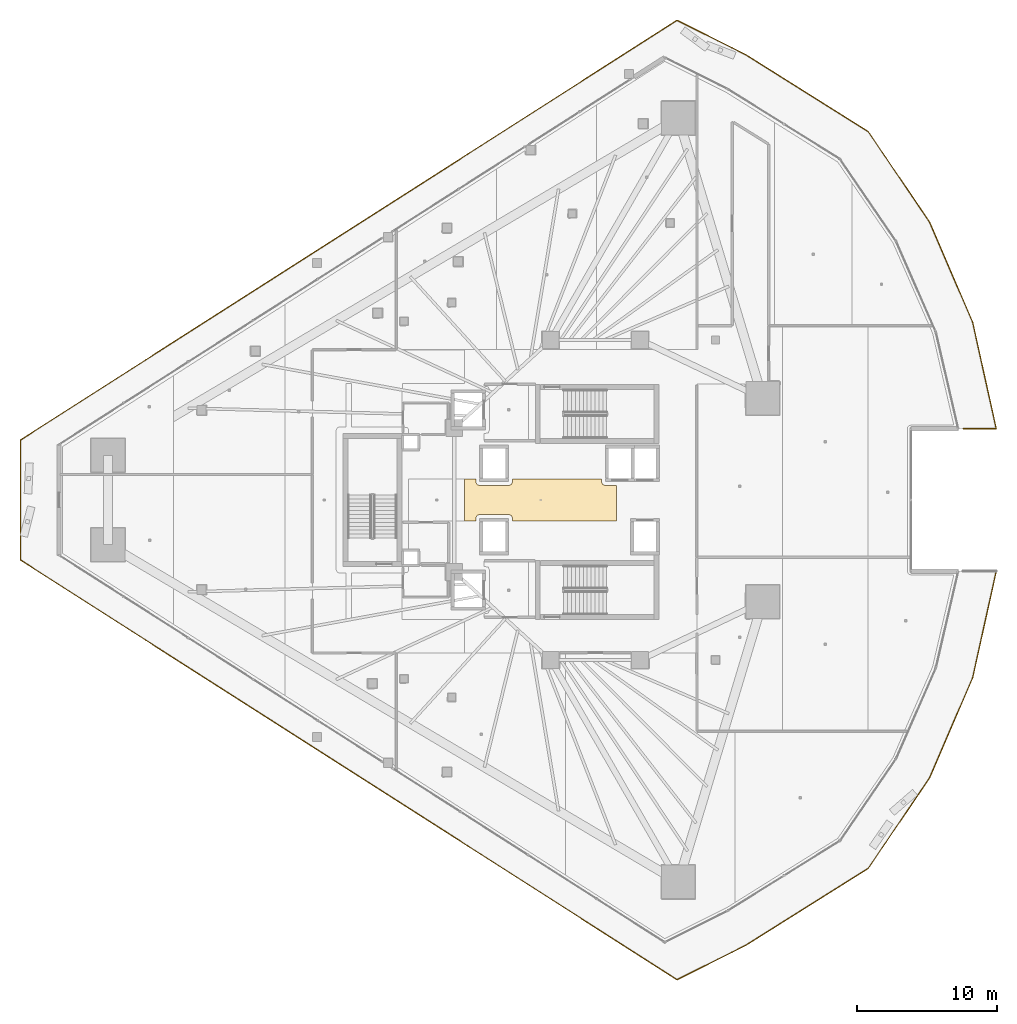
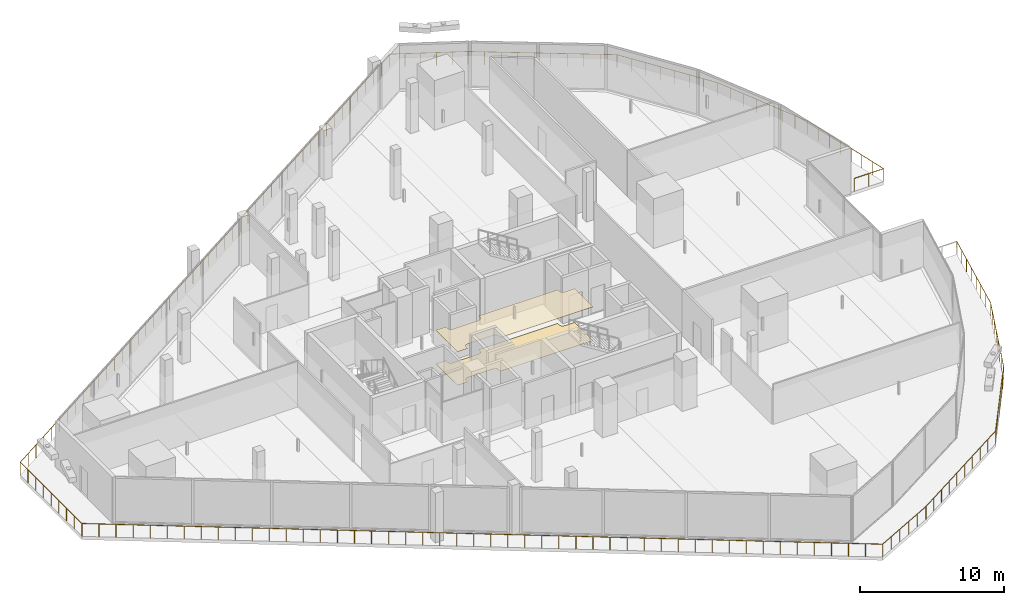
# One storey, part 41 of 45: 2 coverings, 1 railing.
"""IFC4 building model written with IfcOpenShell, lengths in metres."""

from ifc_helpers import new_model, si_unit, direction, frame, origin, origin_2d, place, context, subcontext, project, spatial, polyline, circle, outline, extrude, material, layer, layer_set, type_object, element, save


model = new_model("IFC4")

# Units and contexts
model_context = context("Model", 3, precision=1e-05, world=origin(), true_north=direction((0.0, 1.0)))
body_context = subcontext(model_context, "Body", "Model", "MODEL_VIEW")
ifc_project = project(units=[si_unit("LENGTHUNIT", "METRE"), si_unit("AREAUNIT", "SQUARE_METRE"), si_unit("VOLUMEUNIT", "CUBIC_METRE"), si_unit("PLANEANGLEUNIT", "RADIAN"), si_unit("MASSUNIT", "GRAM", prefix="KILO")], contexts=[model_context])

# Site, building, storey
site_placement = place(None, origin())
site = spatial("IfcSite", under=ifc_project, at=site_placement, CompositionType="ELEMENT")
building_placement = place(site_placement, origin())
building = spatial("IfcBuilding", under=site, at=building_placement, Name="Qorvath Tower", CompositionType="ELEMENT")
storey_placement = place(building_placement, frame((0.0, 0.0, 95.39990234375)))
storey = spatial("IfcBuildingStorey", under=building, at=storey_placement, Name="L21", CompositionType="ELEMENT", Elevation=95.39990234375)

# Coverings
ifc_material_1 = material(Name="Acoustic mineral fibre ceiling tile", Category="gypsum")
ifc_layer_1 = layer(ifc_material_1, 0.030029296875)
ifc_layer_set_1 = layer_set([ifc_layer_1], Name="COV-CEIL")
covering_type_1 = type_object("IfcCoveringType", Name="COV-CEIL", PredefinedType="CEILING", material=ifc_layer_set_1)
covering_1_placement = place(storey_placement, frame((0.0, 0.0, 2.85009765625)))
element("IfcCovering", 1, at=covering_1_placement, inside=storey, type_object=covering_type_1, Name="L21 Suspended Acoustic Ceiling 008", PredefinedType="CEILING", context=body_context, shape_type="SweptSolid", body=[
    extrude(outline(polyline([(-18.885009765625, -1.514892578125), (-18.885009765625, 1.0400390625), (-19.7099609375, 1.0400390625), (-19.88671875, 1.11328125), (-19.9599609375, 1.2900390625), (-19.9599609375, 1.514892578125), (-26.340087890625, 1.514892578125), (-26.340087890625, 1.2900390625), (-26.413330078125, 1.11328125), (-26.590087890625, 1.0400390625), (-28.7099609375, 1.0400390625), (-28.88671875, 1.11328125), (-28.9599609375, 1.2900390625), (-28.9599609375, 1.514892578125), (-29.764892578125, 1.514892578125), (-29.764892578125, -1.514892578125), (-28.9599609375, -1.514892578125), (-28.9599609375, -1.2900390625), (-28.88671875, -1.11328125), (-28.7099609375, -1.0400390625), (-26.590087890625, -1.0400390625), (-26.413330078125, -1.11328125), (-26.340087890625, -1.2900390625), (-26.340087890625, -1.514892578125), (-18.885009765625, -1.514892578125)])), origin(), (0.0, 0.0, 1.0), 0.030029296875),
])
ifc_material_2 = material(Name="Polished epoxy terrazzo flooring", Category="concrete")
ifc_layer_2 = layer(ifc_material_2, 0.02001953125)
ifc_layer_set_2 = layer_set([ifc_layer_2], Name="COV-FLOOR-TRZ")
covering_type_2 = type_object("IfcCoveringType", Name="COV-FLOOR-TRZ", PredefinedType="FLOORING", material=ifc_layer_set_2)
covering_2_placement = place(storey_placement, origin())
element("IfcCovering", 2, at=covering_2_placement, inside=storey, type_object=covering_type_2, Name="L21 Floor Finish 008", PredefinedType="FLOORING", context=body_context, shape_type="SweptSolid", body=[
    extrude(outline(polyline([(-18.885009765625, -1.514892578125), (-18.885009765625, 1.0400390625), (-19.7099609375, 1.0400390625), (-19.88671875, 1.11328125), (-19.9599609375, 1.2900390625), (-19.9599609375, 1.514892578125), (-26.340087890625, 1.514892578125), (-26.340087890625, 1.2900390625), (-26.413330078125, 1.11328125), (-26.590087890625, 1.0400390625), (-28.7099609375, 1.0400390625), (-28.88671875, 1.11328125), (-28.9599609375, 1.2900390625), (-28.9599609375, 1.514892578125), (-29.764892578125, 1.514892578125), (-29.764892578125, -1.514892578125), (-28.9599609375, -1.514892578125), (-28.9599609375, -1.2900390625), (-28.88671875, -1.11328125), (-28.7099609375, -1.0400390625), (-26.590087890625, -1.0400390625), (-26.413330078125, -1.11328125), (-26.340087890625, -1.2900390625), (-26.340087890625, -1.514892578125), (-18.885009765625, -1.514892578125)])), origin(), (0.0, 0.0, 1.0), 0.01513671875),
])

# Railing
ifc_material_3 = material(Name="Laminated safety glass and stainless steel AISI 316", Category="steel")
railing_type = type_object("IfcRailingType", Name="RL-EXT-GRD", PredefinedType="GUARDRAIL", material=ifc_material_3)
railing_placement = place(storey_placement, frame((8.286865234375, -5.09765625, 0.0)))
element("IfcRailing", 3, at=railing_placement, inside=storey, type_object=railing_type, Name="Loggia Perimeter Guardrail L21-1.1", PredefinedType="GUARDRAIL", context=body_context, shape_type="SweptSolid", body=[
    extrude(circle(Radius=0.02392578125, at=origin_2d()), frame((0.0, 0.0, 1.09619140625), z_axis=(-0.216085924494, -0.976374350972, 0.0), x_axis=(0.976374350972, -0.216085924494, 0.0)), (0.0, 0.0, 1.0), 7.805908203125),
    extrude(circle(Radius=0.02392578125, at=origin_2d()), frame((-1.686767578125, -7.62158203125, 1.09619140625), z_axis=(-0.395507820137, -0.918462609043, 0.0), x_axis=(0.918462609043, -0.395507820137, 0.0)), (0.0, 0.0, 1.0), 7.80615234375),
    extrude(circle(Radius=0.02392578125, at=origin_2d()), frame((-4.774169921875, -14.791259765625, 1.09619140625), z_axis=(-0.560812875322, -0.82794258187, 0.0), x_axis=(0.82794258187, -0.560812875322, 0.0)), (0.0, 0.0, 1.0), 7.805908203125),
    extrude(circle(Radius=0.02392578125, at=origin_2d()), frame((-9.15185546875, -21.254150390625, 1.09619140625), z_axis=(-0.846493918861, -0.532398389677, 0.0), x_axis=(0.532398389677, -0.846493918861, 0.0)), (0.0, 0.0, 1.0), 10.380615234375),
    extrude(circle(Radius=0.02392578125, at=origin_2d()), frame((-17.93896484375, -26.78076171875, 1.09619140625), z_axis=(-0.894427191, -0.4472135955, 0.0), x_axis=(0.4472135955, -0.894427191, 0.0)), (0.0, 0.0, 1.0), 5.483154296875),
    extrude(circle(Radius=0.02392578125, at=origin_2d()), frame((-22.84326171875, -29.23291015625, 1.09619140625), z_axis=(-0.842603743195, 0.538534058305, 0.0), x_axis=(-0.538534058305, -0.842603743195, 0.0)), (0.0, 0.0, 1.0), 55.77978515625),
    extrude(circle(Radius=0.02392578125, at=origin_2d()), frame((-69.843505859375, 0.806396484375, 1.09619140625), z_axis=(0.0, 1.0, 0.0), x_axis=(-1.0, 0.0, 0.0)), (0.0, 0.0, 1.0), 8.58251953125),
    extrude(circle(Radius=0.02392578125, at=origin_2d()), frame((-69.843505859375, 9.388916015625, 1.09619140625), z_axis=(0.842603743195, 0.538534058305, 0.0), x_axis=(-0.538534058305, 0.842603743195, 0.0)), (0.0, 0.0, 1.0), 55.77978515625),
    extrude(circle(Radius=0.02392578125, at=origin_2d()), frame((-22.84326171875, 39.42822265625, 1.09619140625), z_axis=(0.894427191, -0.4472135955, 0.0), x_axis=(0.4472135955, 0.894427191, 0.0)), (0.0, 0.0, 1.0), 5.483154296875),
    extrude(circle(Radius=0.02392578125, at=origin_2d()), frame((-17.93896484375, 36.97607421875, 1.09619140625), z_axis=(0.846493918861, -0.532398389677, 0.0), x_axis=(0.532398389677, 0.846493918861, 0.0)), (0.0, 0.0, 1.0), 10.380615234375),
    extrude(circle(Radius=0.02392578125, at=origin_2d()), frame((-9.15185546875, 31.449462890625, 1.09619140625), z_axis=(0.560812875322, -0.82794258187, 0.0), x_axis=(0.82794258187, 0.560812875322, 0.0)), (0.0, 0.0, 1.0), 7.805908203125),
    extrude(circle(Radius=0.02392578125, at=origin_2d()), frame((-4.774169921875, 24.986572265625, 1.09619140625), z_axis=(0.395507820137, -0.918462609043, 0.0), x_axis=(0.918462609043, 0.395507820137, 0.0)), (0.0, 0.0, 1.0), 7.80615234375),
    extrude(circle(Radius=0.02392578125, at=origin_2d()), frame((-1.686767578125, 17.81689453125, 1.09619140625), z_axis=(0.216085924494, -0.976374350972, 0.0), x_axis=(0.976374350972, 0.216085924494, 0.0)), (0.0, 0.0, 1.0), 7.805908203125),
    extrude(circle(Radius=0.02392578125, at=origin_2d()), frame((0.0, 10.1953125, 1.09619140625), z_axis=(-1.0, 0.0, 0.0), x_axis=(0.0, -1.0, 0.0)), (0.0, 0.0, 1.0), 2.366455078125),
    extrude(circle(Radius=0.02099609375, at=origin_2d()), origin(), (0.0, 0.0, 1.0), 1.072021484375),
    extrude(circle(Radius=0.02099609375, at=origin_2d()), frame((-0.240966796875, -1.0888671875, 0.0)), (0.0, 0.0, 1.0), 1.072021484375),
    extrude(circle(Radius=0.02099609375, at=origin_2d()), frame((-0.48193359375, -2.177490234375, 0.0)), (0.0, 0.0, 1.0), 1.072021484375),
    extrude(circle(Radius=0.02099609375, at=origin_2d()), frame((-0.722900390625, -3.266357421875, 0.0)), (0.0, 0.0, 1.0), 1.072021484375),
    extrude(circle(Radius=0.02099609375, at=origin_2d()), frame((-0.9638671875, -4.355224609375, 0.0)), (0.0, 0.0, 1.0), 1.072021484375),
    extrude(circle(Radius=0.02099609375, at=origin_2d()), frame((-1.204833984375, -5.444091796875, 0.0)), (0.0, 0.0, 1.0), 1.072021484375),
    extrude(circle(Radius=0.02099609375, at=origin_2d()), frame((-1.44580078125, -6.53271484375, 0.0)), (0.0, 0.0, 1.0), 1.072021484375),
    extrude(circle(Radius=0.02099609375, at=origin_2d()), frame((-1.686767578125, -7.62158203125, 0.0)), (0.0, 0.0, 1.0), 1.072021484375),
    extrude(circle(Radius=0.02099609375, at=origin_2d()), frame((-2.1279296875, -8.645751953125, 0.0)), (0.0, 0.0, 1.0), 1.072021484375),
    extrude(circle(Radius=0.02099609375, at=origin_2d()), frame((-2.56884765625, -9.670166015625, 0.0)), (0.0, 0.0, 1.0), 1.072021484375),
    extrude(circle(Radius=0.02099609375, at=origin_2d()), frame((-3.010009765625, -10.6943359375, 0.0)), (0.0, 0.0, 1.0), 1.072021484375),
    extrude(circle(Radius=0.02099609375, at=origin_2d()), frame((-3.450927734375, -11.718505859375, 0.0)), (0.0, 0.0, 1.0), 1.072021484375),
    extrude(circle(Radius=0.02099609375, at=origin_2d()), frame((-3.89208984375, -12.74267578125, 0.0)), (0.0, 0.0, 1.0), 1.072021484375),
    extrude(circle(Radius=0.02099609375, at=origin_2d()), frame((-4.3330078125, -13.76708984375, 0.0)), (0.0, 0.0, 1.0), 1.072021484375),
    extrude(circle(Radius=0.02099609375, at=origin_2d()), frame((-4.774169921875, -14.791259765625, 0.0)), (0.0, 0.0, 1.0), 1.072021484375),
    extrude(circle(Radius=0.02099609375, at=origin_2d()), frame((-5.399658203125, -15.714599609375, 0.0)), (0.0, 0.0, 1.0), 1.072021484375),
    extrude(circle(Radius=0.02099609375, at=origin_2d()), frame((-6.02490234375, -16.6376953125, 0.0)), (0.0, 0.0, 1.0), 1.072021484375),
    extrude(circle(Radius=0.02099609375, at=origin_2d()), frame((-6.650390625, -17.56103515625, 0.0)), (0.0, 0.0, 1.0), 1.072021484375),
    extrude(circle(Radius=0.02099609375, at=origin_2d()), frame((-7.275634765625, -18.484375, 0.0)), (0.0, 0.0, 1.0), 1.072021484375),
    extrude(circle(Radius=0.02099609375, at=origin_2d()), frame((-7.901123046875, -19.40771484375, 0.0)), (0.0, 0.0, 1.0), 1.072021484375),
    extrude(circle(Radius=0.02099609375, at=origin_2d()), frame((-8.5263671875, -20.330810546875, 0.0)), (0.0, 0.0, 1.0), 1.072021484375),
    extrude(circle(Radius=0.02099609375, at=origin_2d()), frame((-9.15185546875, -21.254150390625, 0.0)), (0.0, 0.0, 1.0), 1.072021484375),
    extrude(circle(Radius=0.02099609375, at=origin_2d()), frame((-10.128173828125, -21.8681640625, 0.0)), (0.0, 0.0, 1.0), 1.072021484375),
    extrude(circle(Radius=0.02099609375, at=origin_2d()), frame((-11.1044921875, -22.482177734375, 0.0)), (0.0, 0.0, 1.0), 1.072021484375),
    extrude(circle(Radius=0.02099609375, at=origin_2d()), frame((-12.080810546875, -23.096435546875, 0.0)), (0.0, 0.0, 1.0), 1.072021484375),
    extrude(circle(Radius=0.02099609375, at=origin_2d()), frame((-13.05712890625, -23.71044921875, 0.0)), (0.0, 0.0, 1.0), 1.072021484375),
    extrude(circle(Radius=0.02099609375, at=origin_2d()), frame((-14.03369140625, -24.324462890625, 0.0)), (0.0, 0.0, 1.0), 1.072021484375),
    extrude(circle(Radius=0.02099609375, at=origin_2d()), frame((-15.010009765625, -24.9384765625, 0.0)), (0.0, 0.0, 1.0), 1.072021484375),
    extrude(circle(Radius=0.02099609375, at=origin_2d()), frame((-15.986328125, -25.552734375, 0.0)), (0.0, 0.0, 1.0), 1.072021484375),
    extrude(circle(Radius=0.02099609375, at=origin_2d()), frame((-16.962646484375, -26.166748046875, 0.0)), (0.0, 0.0, 1.0), 1.072021484375),
    extrude(circle(Radius=0.02099609375, at=origin_2d()), frame((-17.93896484375, -26.78076171875, 0.0)), (0.0, 0.0, 1.0), 1.072021484375),
    extrude(circle(Radius=0.02099609375, at=origin_2d()), frame((-18.919921875, -27.271240234375, 0.0)), (0.0, 0.0, 1.0), 1.072021484375),
    extrude(circle(Radius=0.02099609375, at=origin_2d()), frame((-19.900634765625, -27.76171875, 0.0)), (0.0, 0.0, 1.0), 1.072021484375),
    extrude(circle(Radius=0.02099609375, at=origin_2d()), frame((-20.881591796875, -28.251953125, 0.0)), (0.0, 0.0, 1.0), 1.072021484375),
    extrude(circle(Radius=0.02099609375, at=origin_2d()), frame((-21.8623046875, -28.742431640625, 0.0)), (0.0, 0.0, 1.0), 1.072021484375),
    extrude(circle(Radius=0.02099609375, at=origin_2d()), frame((-22.84326171875, -29.23291015625, 0.0)), (0.0, 0.0, 1.0), 1.072021484375),
    extrude(circle(Radius=0.02099609375, at=origin_2d()), frame((-23.84326171875, -28.59375, 0.0)), (0.0, 0.0, 1.0), 1.072021484375),
    extrude(circle(Radius=0.02099609375, at=origin_2d()), frame((-24.84326171875, -27.95458984375, 0.0)), (0.0, 0.0, 1.0), 1.072021484375),
    extrude(circle(Radius=0.02099609375, at=origin_2d()), frame((-25.84326171875, -27.3154296875, 0.0)), (0.0, 0.0, 1.0), 1.072021484375),
    extrude(circle(Radius=0.02099609375, at=origin_2d()), frame((-26.84326171875, -26.67626953125, 0.0)), (0.0, 0.0, 1.0), 1.072021484375),
    extrude(circle(Radius=0.02099609375, at=origin_2d()), frame((-27.84326171875, -26.037353515625, 0.0)), (0.0, 0.0, 1.0), 1.072021484375),
    extrude(circle(Radius=0.02099609375, at=origin_2d()), frame((-28.84326171875, -25.398193359375, 0.0)), (0.0, 0.0, 1.0), 1.072021484375),
    extrude(circle(Radius=0.02099609375, at=origin_2d()), frame((-29.84326171875, -24.759033203125, 0.0)), (0.0, 0.0, 1.0), 1.072021484375),
    extrude(circle(Radius=0.02099609375, at=origin_2d()), frame((-30.84326171875, -24.119873046875, 0.0)), (0.0, 0.0, 1.0), 1.072021484375),
    extrude(circle(Radius=0.02099609375, at=origin_2d()), frame((-31.84326171875, -23.480712890625, 0.0)), (0.0, 0.0, 1.0), 1.072021484375),
    extrude(circle(Radius=0.02099609375, at=origin_2d()), frame((-32.84326171875, -22.841552734375, 0.0)), (0.0, 0.0, 1.0), 1.072021484375),
    extrude(circle(Radius=0.02099609375, at=origin_2d()), frame((-33.84326171875, -22.202392578125, 0.0)), (0.0, 0.0, 1.0), 1.072021484375),
    extrude(circle(Radius=0.02099609375, at=origin_2d()), frame((-34.84326171875, -21.563232421875, 0.0)), (0.0, 0.0, 1.0), 1.072021484375),
    extrude(circle(Radius=0.02099609375, at=origin_2d()), frame((-35.84326171875, -20.924072265625, 0.0)), (0.0, 0.0, 1.0), 1.072021484375),
    extrude(circle(Radius=0.02099609375, at=origin_2d()), frame((-36.84326171875, -20.284912109375, 0.0)), (0.0, 0.0, 1.0), 1.072021484375),
    extrude(circle(Radius=0.02099609375, at=origin_2d()), frame((-37.84326171875, -19.64599609375, 0.0)), (0.0, 0.0, 1.0), 1.072021484375),
    extrude(circle(Radius=0.02099609375, at=origin_2d()), frame((-38.84326171875, -19.0068359375, 0.0)), (0.0, 0.0, 1.0), 1.072021484375),
    extrude(circle(Radius=0.02099609375, at=origin_2d()), frame((-39.84326171875, -18.36767578125, 0.0)), (0.0, 0.0, 1.0), 1.072021484375),
    extrude(circle(Radius=0.02099609375, at=origin_2d()), frame((-40.84326171875, -17.728515625, 0.0)), (0.0, 0.0, 1.0), 1.072021484375),
    extrude(circle(Radius=0.02099609375, at=origin_2d()), frame((-41.84326171875, -17.08935546875, 0.0)), (0.0, 0.0, 1.0), 1.072021484375),
    extrude(circle(Radius=0.02099609375, at=origin_2d()), frame((-42.84326171875, -16.4501953125, 0.0)), (0.0, 0.0, 1.0), 1.072021484375),
    extrude(circle(Radius=0.02099609375, at=origin_2d()), frame((-43.84326171875, -15.81103515625, 0.0)), (0.0, 0.0, 1.0), 1.072021484375),
    extrude(circle(Radius=0.02099609375, at=origin_2d()), frame((-44.84326171875, -15.171875, 0.0)), (0.0, 0.0, 1.0), 1.072021484375),
    extrude(circle(Radius=0.02099609375, at=origin_2d()), frame((-45.84326171875, -14.53271484375, 0.0)), (0.0, 0.0, 1.0), 1.072021484375),
    extrude(circle(Radius=0.02099609375, at=origin_2d()), frame((-46.843505859375, -13.893798828125, 0.0)), (0.0, 0.0, 1.0), 1.072021484375),
    extrude(circle(Radius=0.02099609375, at=origin_2d()), frame((-47.843505859375, -13.254638671875, 0.0)), (0.0, 0.0, 1.0), 1.072021484375),
    extrude(circle(Radius=0.02099609375, at=origin_2d()), frame((-48.843505859375, -12.615478515625, 0.0)), (0.0, 0.0, 1.0), 1.072021484375),
    extrude(circle(Radius=0.02099609375, at=origin_2d()), frame((-49.843505859375, -11.976318359375, 0.0)), (0.0, 0.0, 1.0), 1.072021484375),
    extrude(circle(Radius=0.02099609375, at=origin_2d()), frame((-50.843505859375, -11.337158203125, 0.0)), (0.0, 0.0, 1.0), 1.072021484375),
    extrude(circle(Radius=0.02099609375, at=origin_2d()), frame((-51.843505859375, -10.697998046875, 0.0)), (0.0, 0.0, 1.0), 1.072021484375),
    extrude(circle(Radius=0.02099609375, at=origin_2d()), frame((-52.843505859375, -10.058837890625, 0.0)), (0.0, 0.0, 1.0), 1.072021484375),
    extrude(circle(Radius=0.02099609375, at=origin_2d()), frame((-53.843505859375, -9.419677734375, 0.0)), (0.0, 0.0, 1.0), 1.072021484375),
    extrude(circle(Radius=0.02099609375, at=origin_2d()), frame((-54.843505859375, -8.780517578125, 0.0)), (0.0, 0.0, 1.0), 1.072021484375),
    extrude(circle(Radius=0.02099609375, at=origin_2d()), frame((-55.843505859375, -8.1416015625, 0.0)), (0.0, 0.0, 1.0), 1.072021484375),
    extrude(circle(Radius=0.02099609375, at=origin_2d()), frame((-56.843505859375, -7.50244140625, 0.0)), (0.0, 0.0, 1.0), 1.072021484375),
    extrude(circle(Radius=0.02099609375, at=origin_2d()), frame((-57.843505859375, -6.86328125, 0.0)), (0.0, 0.0, 1.0), 1.072021484375),
    extrude(circle(Radius=0.02099609375, at=origin_2d()), frame((-58.843505859375, -6.22412109375, 0.0)), (0.0, 0.0, 1.0), 1.072021484375),
    extrude(circle(Radius=0.02099609375, at=origin_2d()), frame((-59.843505859375, -5.5849609375, 0.0)), (0.0, 0.0, 1.0), 1.072021484375),
    extrude(circle(Radius=0.02099609375, at=origin_2d()), frame((-60.843505859375, -4.94580078125, 0.0)), (0.0, 0.0, 1.0), 1.072021484375),
    extrude(circle(Radius=0.02099609375, at=origin_2d()), frame((-61.843505859375, -4.306640625, 0.0)), (0.0, 0.0, 1.0), 1.072021484375),
    extrude(circle(Radius=0.02099609375, at=origin_2d()), frame((-62.843505859375, -3.66748046875, 0.0)), (0.0, 0.0, 1.0), 1.072021484375),
    extrude(circle(Radius=0.02099609375, at=origin_2d()), frame((-63.843505859375, -3.0283203125, 0.0)), (0.0, 0.0, 1.0), 1.072021484375),
    extrude(circle(Radius=0.02099609375, at=origin_2d()), frame((-64.843505859375, -2.38916015625, 0.0)), (0.0, 0.0, 1.0), 1.072021484375),
    extrude(circle(Radius=0.02099609375, at=origin_2d()), frame((-65.843505859375, -1.750244140625, 0.0)), (0.0, 0.0, 1.0), 1.072021484375),
    extrude(circle(Radius=0.02099609375, at=origin_2d()), frame((-66.843505859375, -1.111083984375, 0.0)), (0.0, 0.0, 1.0), 1.072021484375),
    extrude(circle(Radius=0.02099609375, at=origin_2d()), frame((-67.843505859375, -0.471923828125, 0.0)), (0.0, 0.0, 1.0), 1.072021484375),
    extrude(circle(Radius=0.02099609375, at=origin_2d()), frame((-68.843505859375, 0.167236328125, 0.0)), (0.0, 0.0, 1.0), 1.072021484375),
    extrude(circle(Radius=0.02099609375, at=origin_2d()), frame((-69.843505859375, 0.806396484375, 0.0)), (0.0, 0.0, 1.0), 1.072021484375),
    extrude(circle(Radius=0.02099609375, at=origin_2d()), frame((-69.843505859375, 1.879150390625, 0.0)), (0.0, 0.0, 1.0), 1.072021484375),
    extrude(circle(Radius=0.02099609375, at=origin_2d()), frame((-69.843505859375, 2.9521484375, 0.0)), (0.0, 0.0, 1.0), 1.072021484375),
    extrude(circle(Radius=0.02099609375, at=origin_2d()), frame((-69.843505859375, 4.02490234375, 0.0)), (0.0, 0.0, 1.0), 1.072021484375),
    extrude(circle(Radius=0.02099609375, at=origin_2d()), frame((-69.843505859375, 5.09765625, 0.0)), (0.0, 0.0, 1.0), 1.072021484375),
    extrude(circle(Radius=0.02099609375, at=origin_2d()), frame((-69.843505859375, 6.17041015625, 0.0)), (0.0, 0.0, 1.0), 1.072021484375),
    extrude(circle(Radius=0.02099609375, at=origin_2d()), frame((-69.843505859375, 7.2431640625, 0.0)), (0.0, 0.0, 1.0), 1.072021484375),
    extrude(circle(Radius=0.02099609375, at=origin_2d()), frame((-69.843505859375, 8.316162109375, 0.0)), (0.0, 0.0, 1.0), 1.072021484375),
    extrude(circle(Radius=0.02099609375, at=origin_2d()), frame((-69.843505859375, 9.388916015625, 0.0)), (0.0, 0.0, 1.0), 1.072021484375),
    extrude(circle(Radius=0.02099609375, at=origin_2d()), frame((-68.843505859375, 10.028076171875, 0.0)), (0.0, 0.0, 1.0), 1.072021484375),
    extrude(circle(Radius=0.02099609375, at=origin_2d()), frame((-67.843505859375, 10.667236328125, 0.0)), (0.0, 0.0, 1.0), 1.072021484375),
    extrude(circle(Radius=0.02099609375, at=origin_2d()), frame((-66.843505859375, 11.306396484375, 0.0)), (0.0, 0.0, 1.0), 1.072021484375),
    extrude(circle(Radius=0.02099609375, at=origin_2d()), frame((-65.843505859375, 11.945556640625, 0.0)), (0.0, 0.0, 1.0), 1.072021484375),
    extrude(circle(Radius=0.02099609375, at=origin_2d()), frame((-64.843505859375, 12.58447265625, 0.0)), (0.0, 0.0, 1.0), 1.072021484375),
    extrude(circle(Radius=0.02099609375, at=origin_2d()), frame((-63.843505859375, 13.2236328125, 0.0)), (0.0, 0.0, 1.0), 1.072021484375),
    extrude(circle(Radius=0.02099609375, at=origin_2d()), frame((-62.843505859375, 13.86279296875, 0.0)), (0.0, 0.0, 1.0), 1.072021484375),
    extrude(circle(Radius=0.02099609375, at=origin_2d()), frame((-61.843505859375, 14.501953125, 0.0)), (0.0, 0.0, 1.0), 1.072021484375),
    extrude(circle(Radius=0.02099609375, at=origin_2d()), frame((-60.843505859375, 15.14111328125, 0.0)), (0.0, 0.0, 1.0), 1.072021484375),
    extrude(circle(Radius=0.02099609375, at=origin_2d()), frame((-59.843505859375, 15.7802734375, 0.0)), (0.0, 0.0, 1.0), 1.072021484375),
    extrude(circle(Radius=0.02099609375, at=origin_2d()), frame((-58.843505859375, 16.41943359375, 0.0)), (0.0, 0.0, 1.0), 1.072021484375),
    extrude(circle(Radius=0.02099609375, at=origin_2d()), frame((-57.843505859375, 17.05859375, 0.0)), (0.0, 0.0, 1.0), 1.072021484375),
    extrude(circle(Radius=0.02099609375, at=origin_2d()), frame((-56.843505859375, 17.69775390625, 0.0)), (0.0, 0.0, 1.0), 1.072021484375),
    extrude(circle(Radius=0.02099609375, at=origin_2d()), frame((-55.843505859375, 18.3369140625, 0.0)), (0.0, 0.0, 1.0), 1.072021484375),
    extrude(circle(Radius=0.02099609375, at=origin_2d()), frame((-54.843505859375, 18.975830078125, 0.0)), (0.0, 0.0, 1.0), 1.072021484375),
    extrude(circle(Radius=0.02099609375, at=origin_2d()), frame((-53.843505859375, 19.614990234375, 0.0)), (0.0, 0.0, 1.0), 1.072021484375),
    extrude(circle(Radius=0.02099609375, at=origin_2d()), frame((-52.843505859375, 20.254150390625, 0.0)), (0.0, 0.0, 1.0), 1.072021484375),
    extrude(circle(Radius=0.02099609375, at=origin_2d()), frame((-51.843505859375, 20.893310546875, 0.0)), (0.0, 0.0, 1.0), 1.072021484375),
    extrude(circle(Radius=0.02099609375, at=origin_2d()), frame((-50.843505859375, 21.532470703125, 0.0)), (0.0, 0.0, 1.0), 1.072021484375),
    extrude(circle(Radius=0.02099609375, at=origin_2d()), frame((-49.843505859375, 22.171630859375, 0.0)), (0.0, 0.0, 1.0), 1.072021484375),
    extrude(circle(Radius=0.02099609375, at=origin_2d()), frame((-48.843505859375, 22.810791015625, 0.0)), (0.0, 0.0, 1.0), 1.072021484375),
    extrude(circle(Radius=0.02099609375, at=origin_2d()), frame((-47.843505859375, 23.449951171875, 0.0)), (0.0, 0.0, 1.0), 1.072021484375),
    extrude(circle(Radius=0.02099609375, at=origin_2d()), frame((-46.843505859375, 24.089111328125, 0.0)), (0.0, 0.0, 1.0), 1.072021484375),
    extrude(circle(Radius=0.02099609375, at=origin_2d()), frame((-45.84326171875, 24.72802734375, 0.0)), (0.0, 0.0, 1.0), 1.072021484375),
    extrude(circle(Radius=0.02099609375, at=origin_2d()), frame((-44.84326171875, 25.3671875, 0.0)), (0.0, 0.0, 1.0), 1.072021484375),
    extrude(circle(Radius=0.02099609375, at=origin_2d()), frame((-43.84326171875, 26.00634765625, 0.0)), (0.0, 0.0, 1.0), 1.072021484375),
    extrude(circle(Radius=0.02099609375, at=origin_2d()), frame((-42.84326171875, 26.6455078125, 0.0)), (0.0, 0.0, 1.0), 1.072021484375),
    extrude(circle(Radius=0.02099609375, at=origin_2d()), frame((-41.84326171875, 27.28466796875, 0.0)), (0.0, 0.0, 1.0), 1.072021484375),
    extrude(circle(Radius=0.02099609375, at=origin_2d()), frame((-40.84326171875, 27.923828125, 0.0)), (0.0, 0.0, 1.0), 1.072021484375),
    extrude(circle(Radius=0.02099609375, at=origin_2d()), frame((-39.84326171875, 28.56298828125, 0.0)), (0.0, 0.0, 1.0), 1.072021484375),
    extrude(circle(Radius=0.02099609375, at=origin_2d()), frame((-38.84326171875, 29.2021484375, 0.0)), (0.0, 0.0, 1.0), 1.072021484375),
    extrude(circle(Radius=0.02099609375, at=origin_2d()), frame((-37.84326171875, 29.84130859375, 0.0)), (0.0, 0.0, 1.0), 1.072021484375),
    extrude(circle(Radius=0.02099609375, at=origin_2d()), frame((-36.84326171875, 30.480224609375, 0.0)), (0.0, 0.0, 1.0), 1.072021484375),
    extrude(circle(Radius=0.02099609375, at=origin_2d()), frame((-35.84326171875, 31.119384765625, 0.0)), (0.0, 0.0, 1.0), 1.072021484375),
    extrude(circle(Radius=0.02099609375, at=origin_2d()), frame((-34.84326171875, 31.758544921875, 0.0)), (0.0, 0.0, 1.0), 1.072021484375),
    extrude(circle(Radius=0.02099609375, at=origin_2d()), frame((-33.84326171875, 32.397705078125, 0.0)), (0.0, 0.0, 1.0), 1.072021484375),
    extrude(circle(Radius=0.02099609375, at=origin_2d()), frame((-32.84326171875, 33.036865234375, 0.0)), (0.0, 0.0, 1.0), 1.072021484375),
    extrude(circle(Radius=0.02099609375, at=origin_2d()), frame((-31.84326171875, 33.676025390625, 0.0)), (0.0, 0.0, 1.0), 1.072021484375),
    extrude(circle(Radius=0.02099609375, at=origin_2d()), frame((-30.84326171875, 34.315185546875, 0.0)), (0.0, 0.0, 1.0), 1.072021484375),
    extrude(circle(Radius=0.02099609375, at=origin_2d()), frame((-29.84326171875, 34.954345703125, 0.0)), (0.0, 0.0, 1.0), 1.072021484375),
    extrude(circle(Radius=0.02099609375, at=origin_2d()), frame((-28.84326171875, 35.593505859375, 0.0)), (0.0, 0.0, 1.0), 1.072021484375),
    extrude(circle(Radius=0.02099609375, at=origin_2d()), frame((-27.84326171875, 36.232666015625, 0.0)), (0.0, 0.0, 1.0), 1.072021484375),
    extrude(circle(Radius=0.02099609375, at=origin_2d()), frame((-26.84326171875, 36.87158203125, 0.0)), (0.0, 0.0, 1.0), 1.072021484375),
    extrude(circle(Radius=0.02099609375, at=origin_2d()), frame((-25.84326171875, 37.5107421875, 0.0)), (0.0, 0.0, 1.0), 1.072021484375),
    extrude(circle(Radius=0.02099609375, at=origin_2d()), frame((-24.84326171875, 38.14990234375, 0.0)), (0.0, 0.0, 1.0), 1.072021484375),
    extrude(circle(Radius=0.02099609375, at=origin_2d()), frame((-23.84326171875, 38.7890625, 0.0)), (0.0, 0.0, 1.0), 1.072021484375),
    extrude(circle(Radius=0.02099609375, at=origin_2d()), frame((-22.84326171875, 39.42822265625, 0.0)), (0.0, 0.0, 1.0), 1.072021484375),
    extrude(circle(Radius=0.02099609375, at=origin_2d()), frame((-21.8623046875, 38.937744140625, 0.0)), (0.0, 0.0, 1.0), 1.072021484375),
    extrude(circle(Radius=0.02099609375, at=origin_2d()), frame((-20.881591796875, 38.447265625, 0.0)), (0.0, 0.0, 1.0), 1.072021484375),
    extrude(circle(Radius=0.02099609375, at=origin_2d()), frame((-19.900634765625, 37.95703125, 0.0)), (0.0, 0.0, 1.0), 1.072021484375),
    extrude(circle(Radius=0.02099609375, at=origin_2d()), frame((-18.919921875, 37.466552734375, 0.0)), (0.0, 0.0, 1.0), 1.072021484375),
    extrude(circle(Radius=0.02099609375, at=origin_2d()), frame((-17.93896484375, 36.97607421875, 0.0)), (0.0, 0.0, 1.0), 1.072021484375),
    extrude(circle(Radius=0.02099609375, at=origin_2d()), frame((-16.962646484375, 36.362060546875, 0.0)), (0.0, 0.0, 1.0), 1.072021484375),
    extrude(circle(Radius=0.02099609375, at=origin_2d()), frame((-15.986328125, 35.748046875, 0.0)), (0.0, 0.0, 1.0), 1.072021484375),
    extrude(circle(Radius=0.02099609375, at=origin_2d()), frame((-15.010009765625, 35.1337890625, 0.0)), (0.0, 0.0, 1.0), 1.072021484375),
    extrude(circle(Radius=0.02099609375, at=origin_2d()), frame((-14.03369140625, 34.519775390625, 0.0)), (0.0, 0.0, 1.0), 1.072021484375),
    extrude(circle(Radius=0.02099609375, at=origin_2d()), frame((-13.05712890625, 33.90576171875, 0.0)), (0.0, 0.0, 1.0), 1.072021484375),
    extrude(circle(Radius=0.02099609375, at=origin_2d()), frame((-12.080810546875, 33.291748046875, 0.0)), (0.0, 0.0, 1.0), 1.072021484375),
    extrude(circle(Radius=0.02099609375, at=origin_2d()), frame((-11.1044921875, 32.677490234375, 0.0)), (0.0, 0.0, 1.0), 1.072021484375),
    extrude(circle(Radius=0.02099609375, at=origin_2d()), frame((-10.128173828125, 32.0634765625, 0.0)), (0.0, 0.0, 1.0), 1.072021484375),
    extrude(circle(Radius=0.02099609375, at=origin_2d()), frame((-9.15185546875, 31.449462890625, 0.0)), (0.0, 0.0, 1.0), 1.072021484375),
    extrude(circle(Radius=0.02099609375, at=origin_2d()), frame((-8.5263671875, 30.526123046875, 0.0)), (0.0, 0.0, 1.0), 1.072021484375),
    extrude(circle(Radius=0.02099609375, at=origin_2d()), frame((-7.901123046875, 29.60302734375, 0.0)), (0.0, 0.0, 1.0), 1.072021484375),
    extrude(circle(Radius=0.02099609375, at=origin_2d()), frame((-7.275634765625, 28.6796875, 0.0)), (0.0, 0.0, 1.0), 1.072021484375),
    extrude(circle(Radius=0.02099609375, at=origin_2d()), frame((-6.650390625, 27.75634765625, 0.0)), (0.0, 0.0, 1.0), 1.072021484375),
    extrude(circle(Radius=0.02099609375, at=origin_2d()), frame((-6.02490234375, 26.8330078125, 0.0)), (0.0, 0.0, 1.0), 1.072021484375),
    extrude(circle(Radius=0.02099609375, at=origin_2d()), frame((-5.399658203125, 25.909912109375, 0.0)), (0.0, 0.0, 1.0), 1.072021484375),
    extrude(circle(Radius=0.02099609375, at=origin_2d()), frame((-4.774169921875, 24.986572265625, 0.0)), (0.0, 0.0, 1.0), 1.072021484375),
    extrude(circle(Radius=0.02099609375, at=origin_2d()), frame((-4.3330078125, 23.96240234375, 0.0)), (0.0, 0.0, 1.0), 1.072021484375),
    extrude(circle(Radius=0.02099609375, at=origin_2d()), frame((-3.89208984375, 22.93798828125, 0.0)), (0.0, 0.0, 1.0), 1.072021484375),
    extrude(circle(Radius=0.02099609375, at=origin_2d()), frame((-3.450927734375, 21.913818359375, 0.0)), (0.0, 0.0, 1.0), 1.072021484375),
    extrude(circle(Radius=0.02099609375, at=origin_2d()), frame((-3.010009765625, 20.8896484375, 0.0)), (0.0, 0.0, 1.0), 1.072021484375),
    extrude(circle(Radius=0.02099609375, at=origin_2d()), frame((-2.56884765625, 19.865478515625, 0.0)), (0.0, 0.0, 1.0), 1.072021484375),
    extrude(circle(Radius=0.02099609375, at=origin_2d()), frame((-2.1279296875, 18.841064453125, 0.0)), (0.0, 0.0, 1.0), 1.072021484375),
    extrude(circle(Radius=0.02099609375, at=origin_2d()), frame((-1.686767578125, 17.81689453125, 0.0)), (0.0, 0.0, 1.0), 1.072021484375),
    extrude(circle(Radius=0.02099609375, at=origin_2d()), frame((-1.44580078125, 16.72802734375, 0.0)), (0.0, 0.0, 1.0), 1.072021484375),
    extrude(circle(Radius=0.02099609375, at=origin_2d()), frame((-1.204833984375, 15.639404296875, 0.0)), (0.0, 0.0, 1.0), 1.072021484375),
    extrude(circle(Radius=0.02099609375, at=origin_2d()), frame((-0.9638671875, 14.550537109375, 0.0)), (0.0, 0.0, 1.0), 1.072021484375),
    extrude(circle(Radius=0.02099609375, at=origin_2d()), frame((-0.722900390625, 13.461669921875, 0.0)), (0.0, 0.0, 1.0), 1.072021484375),
    extrude(circle(Radius=0.02099609375, at=origin_2d()), frame((-0.48193359375, 12.372802734375, 0.0)), (0.0, 0.0, 1.0), 1.072021484375),
    extrude(circle(Radius=0.02099609375, at=origin_2d()), frame((-0.240966796875, 11.2841796875, 0.0)), (0.0, 0.0, 1.0), 1.072021484375),
    extrude(circle(Radius=0.02099609375, at=origin_2d()), frame((0.0, 10.1953125, 0.0)), (0.0, 0.0, 1.0), 1.072021484375),
    extrude(circle(Radius=0.02099609375, at=origin_2d()), frame((-1.18310546875, 10.1953125, 0.0)), (0.0, 0.0, 1.0), 1.072021484375),
    extrude(circle(Radius=0.02099609375, at=origin_2d()), frame((-2.366455078125, 10.1953125, 0.0)), (0.0, 0.0, 1.0), 1.072021484375),
])

save(model, "model.ifc")
